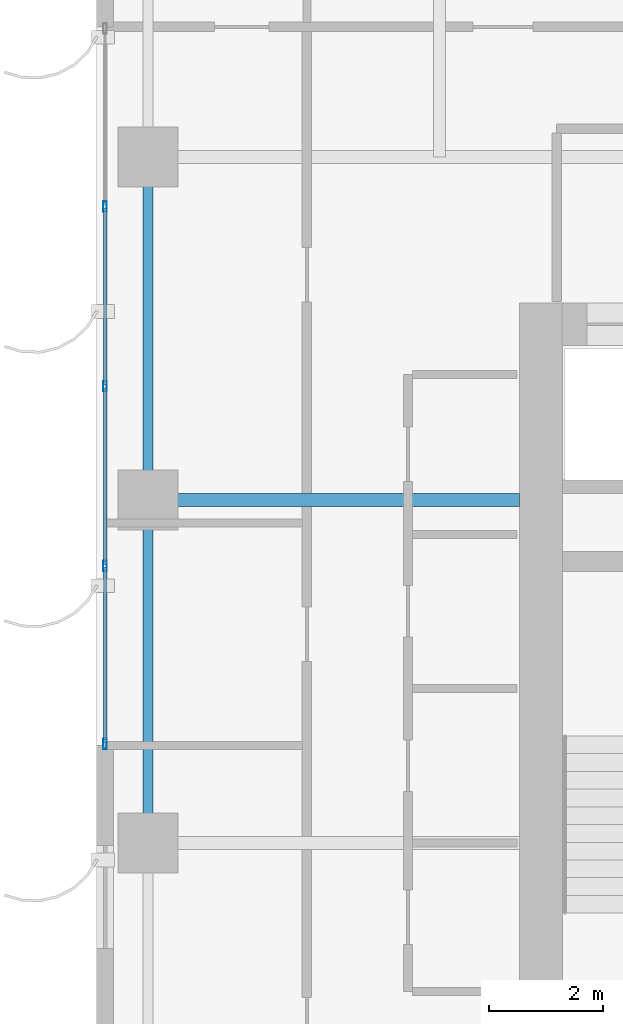
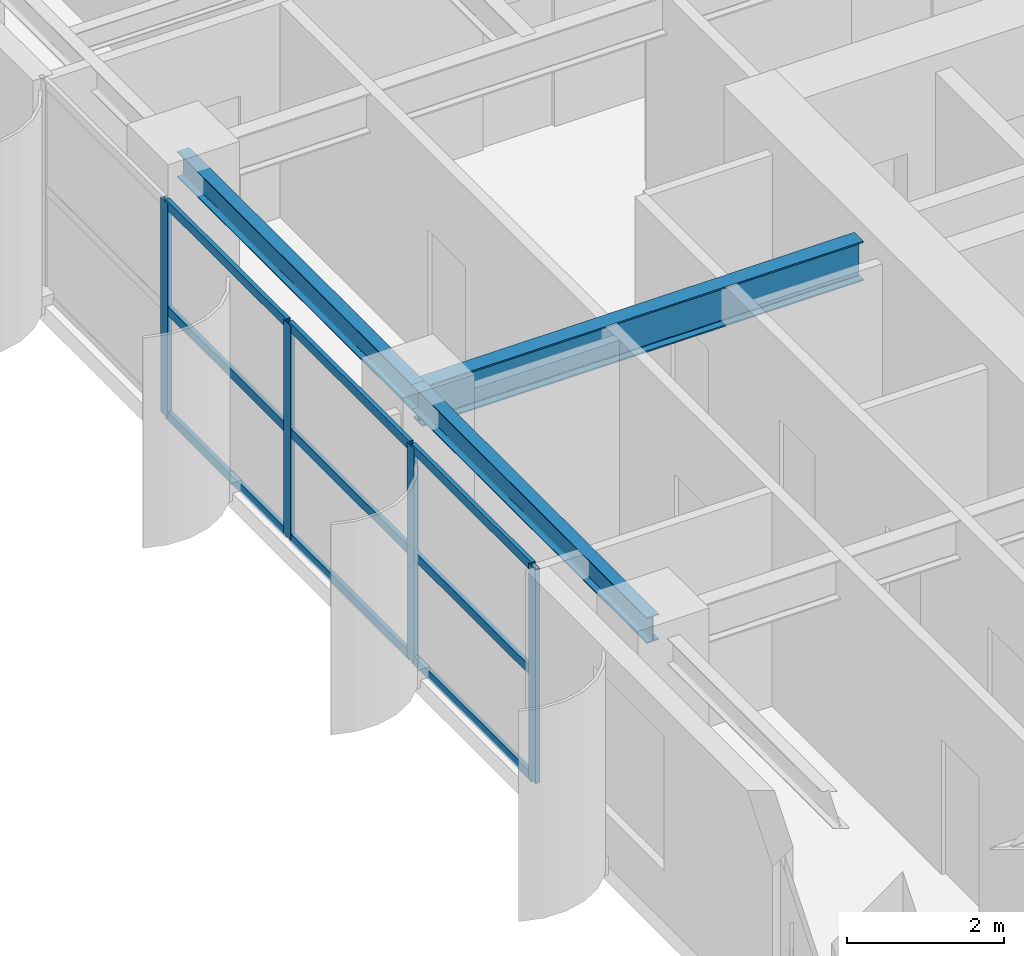
# One storey, part 5 of 23: 13 members, 3 beams, 1 element without a shape of its own.
"""IFC4 building model written with IfcOpenShell, lengths in metres."""

from ifc_helpers import new_model, si_unit, direction, frame, origin, origin_2d, place, context, subcontext, project, spatial, hollow_rectangle, i_section, extrude, source, transform, mapped, material, layer, layer_set, material_profile, profile_set, type_object, element, aggregate, save


model = new_model("IFC4")

# Units and contexts
model_context = context("Model", 3, precision=1e-05, world=origin(), true_north=direction((0.0, 1.0)))
body_context = subcontext(model_context, "Body", "Model", "MODEL_VIEW")
ifc_project = project(units=[si_unit("LENGTHUNIT", "METRE"), si_unit("AREAUNIT", "SQUARE_METRE"), si_unit("VOLUMEUNIT", "CUBIC_METRE"), si_unit("PLANEANGLEUNIT", "RADIAN"), si_unit("MASSUNIT", "GRAM", prefix="KILO")], contexts=[model_context])

# Site, building, storey
site_placement = place(None, origin())
site = spatial("IfcSite", under=ifc_project, at=site_placement, CompositionType="ELEMENT")
building_placement = place(site_placement, origin())
building = spatial("IfcBuilding", under=site, at=building_placement, Name="Khoralis Quay Care Tower", CompositionType="ELEMENT")
storey_placement = place(building_placement, frame((0.0, 0.0, 119.699951171875)))
storey = spatial("IfcBuildingStorey", under=building, at=storey_placement, Name="L31", CompositionType="ELEMENT", Elevation=119.699951171875)

# Beams
ifc_material_1 = material(Name="Steel S355", Category="steel")
ifc_material_profile_1 = material_profile(ifc_material_1, i_section(OverallWidth=0.179931640625, OverallDepth=0.39990234375, WebThickness=0.008544921875, FlangeThickness=0.013427734375, FilletRadius=0.02099609375, at=origin_2d()), Name="Steel S355")
ifc_profile_set_1 = profile_set([ifc_material_profile_1], Name="Steel S355")
beam_type_1 = type_object("IfcBeamType", Name="BM-IPE400", PredefinedType="SPANDREL", material=ifc_profile_set_1)
shared_shape_1 = source(origin(), body_context, "Body", "SweptSolid", [
    extrude(i_section(OverallWidth=0.179931640625, OverallDepth=0.39990234375, WebThickness=0.008544921875, FlangeThickness=0.013427734375, FilletRadius=0.02099609375, at=origin_2d()), origin(), (0.0, 0.0, 1.0), 6.0),
])
for number, where, z_axis, x_axis, name in (
    (1, (0.89990234375, 18.0, 3.14013671875), (0.0, 1.0, 0.0), (-1.0, 0.0, 0.0), "BM-TSP-L31-13"),
    (2, (0.89990234375, 24.0, 3.14013671875), (0.0, 1.0, 0.0), (-1.0, 0.0, 0.0), "BM-TSP-L31-14"),
):
    element("IfcBeam", number, at=place(storey_placement, frame(where, z_axis=z_axis, x_axis=x_axis)), inside=storey, type_object=beam_type_1, Name=name, PredefinedType="SPANDREL", context=body_context, shape_type="MappedRepresentation", body=[
        mapped(shared_shape_1, transform((0.0, 0.0, 0.0), scale=1.0)),
    ])
ifc_material_profile_2 = material_profile(ifc_material_1, i_section(OverallWidth=0.22998046875, OverallDepth=0.616943359375, WebThickness=0.01318359375, FlangeThickness=0.022216796875, FilletRadius=0.01806640625, at=origin_2d()), Name="Steel S355")
ifc_profile_set_2 = profile_set([ifc_material_profile_2], Name="Steel S355")
beam_type_2 = type_object("IfcBeamType", Name="BM-W610X140", PredefinedType="BEAM", material=ifc_profile_set_2)
shared_shape_2 = source(origin(), body_context, "Body", "SweptSolid", [
    extrude(i_section(OverallWidth=0.22998046875, OverallDepth=0.616943359375, WebThickness=0.01318359375, FlangeThickness=0.022216796875, FilletRadius=0.01806640625, at=origin_2d()), origin(), (0.0, 0.0, 1.0), 6.502197265625),
])
beam_placement = place(storey_placement, frame((0.89990234375, 24.0, 3.031494140625), z_axis=(1.0, 0.0, 0.0), x_axis=(0.0, 1.0, 0.0)))
element("IfcBeam", 3, at=beam_placement, inside=storey, type_object=beam_type_2, Name="BM-TGXW-L31-240", PredefinedType="BEAM", context=body_context, shape_type="MappedRepresentation", body=[
    mapped(shared_shape_2, transform((0.0, 0.0, 0.0), scale=1.0)),
])

# Curtain wall, members
ifc_material_2 = material(Name="Pale anodised aluminium", Category="aluminium")
ifc_layer = layer(ifc_material_2, 0.169921875)
ifc_layer_set = layer_set([ifc_layer], Name="Pale anodised aluminium")
curtain_wall_type = type_object("IfcCurtainWallType", Name="CW-SYS-Z2", PredefinedType="NOTDEFINED", material=ifc_layer_set)
curtain_wall_placement = place(storey_placement, origin())
curtain_wall = element("IfcCurtainWall", 4, at=curtain_wall_placement, inside=storey, type_object=curtain_wall_type, Name="L31 Unitised Curtain Wall CW-L31-P1-E15", PredefinedType="NOTDEFINED")
ifc_material_profile_3 = material_profile(ifc_material_2, hollow_rectangle(XDim=0.06005859375, YDim=0.139892578125, WallThickness=0.00390625, at=origin_2d()), Name="Pale anodised aluminium")
ifc_profile_set_3 = profile_set([ifc_material_profile_3], Name="Pale anodised aluminium")
member_type_1 = type_object("IfcMemberType", Name="CW-TRN-140", PredefinedType="USERDEFINED", material=ifc_profile_set_3)
shared_shape_3 = source(origin(), body_context, "Body", "SweptSolid", [
    extrude(hollow_rectangle(XDim=0.06005859375, YDim=0.139892578125, WallThickness=0.00390625, at=origin_2d()), origin(), (0.0, 0.0, 1.0), 3.054931640625),
])
member_1_placement = place(storey_placement, frame((0.14990234375, 22.81494140625, 0.030029296875), z_axis=(0.0, -1.0, 0.0), x_axis=(1.0, 0.0, 0.0)))
member_1 = element("IfcMember", 5, at=member_1_placement, type_object=member_type_1, Name="CW2 transom 4.1", ObjectType="TRANSOM", PredefinedType="USERDEFINED", context=body_context, shape_type="MappedRepresentation", body=[
    mapped(shared_shape_3, transform((0.0, 0.0, 0.0), scale=1.0)),
])
member_2_placement = place(storey_placement, frame((0.14990234375, 22.81494140625, 1.670166015625), z_axis=(0.0, -1.0, 0.0), x_axis=(1.0, 0.0, 0.0)))
member_2 = element("IfcMember", 6, at=member_2_placement, type_object=member_type_1, Name="CW2 transom 4.2", ObjectType="TRANSOM", PredefinedType="USERDEFINED", context=body_context, shape_type="MappedRepresentation", body=[
    mapped(shared_shape_3, transform((0.0, 0.0, 0.0), scale=1.0)),
])
member_3_placement = place(storey_placement, frame((0.14990234375, 22.81494140625, 3.31005859375), z_axis=(0.0, -1.0, 0.0), x_axis=(1.0, 0.0, 0.0)))
member_3 = element("IfcMember", 7, at=member_3_placement, type_object=member_type_1, Name="CW2 transom 4.3", ObjectType="TRANSOM", PredefinedType="USERDEFINED", context=body_context, shape_type="MappedRepresentation", body=[
    mapped(shared_shape_3, transform((0.0, 0.0, 0.0), scale=1.0)),
])
shared_shape_4 = source(origin(), body_context, "Body", "SweptSolid", [
    extrude(hollow_rectangle(XDim=0.06005859375, YDim=0.139892578125, WallThickness=0.00390625, at=origin_2d()), origin(), (0.0, 0.0, 1.0), 3.0849609375),
])
member_4_placement = place(storey_placement, frame((0.14990234375, 29.10498046875, 0.030029296875), z_axis=(0.0, -1.0, 0.0), x_axis=(1.0, 0.0, 0.0)))
member_4 = element("IfcMember", 8, at=member_4_placement, type_object=member_type_1, Name="CW2 transom 2.1", ObjectType="TRANSOM", PredefinedType="USERDEFINED", context=body_context, shape_type="MappedRepresentation", body=[
    mapped(shared_shape_4, transform((0.0, 0.0, 0.0), scale=1.0)),
])
member_5_placement = place(storey_placement, frame((0.14990234375, 29.10498046875, 1.670166015625), z_axis=(0.0, -1.0, 0.0), x_axis=(1.0, 0.0, 0.0)))
member_5 = element("IfcMember", 9, at=member_5_placement, type_object=member_type_1, Name="CW2 transom 2.2", ObjectType="TRANSOM", PredefinedType="USERDEFINED", context=body_context, shape_type="MappedRepresentation", body=[
    mapped(shared_shape_4, transform((0.0, 0.0, 0.0), scale=1.0)),
])
member_6_placement = place(storey_placement, frame((0.14990234375, 29.10498046875, 3.31005859375), z_axis=(0.0, -1.0, 0.0), x_axis=(1.0, 0.0, 0.0)))
member_6 = element("IfcMember", 10, at=member_6_placement, type_object=member_type_1, Name="CW2 transom 2.3", ObjectType="TRANSOM", PredefinedType="USERDEFINED", context=body_context, shape_type="MappedRepresentation", body=[
    mapped(shared_shape_4, transform((0.0, 0.0, 0.0), scale=1.0)),
])
member_7_placement = place(storey_placement, frame((0.14990234375, 25.9599609375, 0.030029296875), z_axis=(0.0, -1.0, 0.0), x_axis=(1.0, 0.0, 0.0)))
member_7 = element("IfcMember", 11, at=member_7_placement, type_object=member_type_1, Name="CW2 transom 3.1", ObjectType="TRANSOM", PredefinedType="USERDEFINED", context=body_context, shape_type="MappedRepresentation", body=[
    mapped(shared_shape_4, transform((0.0, 0.0, 0.0), scale=1.0)),
])
member_8_placement = place(storey_placement, frame((0.14990234375, 25.9599609375, 1.670166015625), z_axis=(0.0, -1.0, 0.0), x_axis=(1.0, 0.0, 0.0)))
member_8 = element("IfcMember", 12, at=member_8_placement, type_object=member_type_1, Name="CW2 transom 3.2", ObjectType="TRANSOM", PredefinedType="USERDEFINED", context=body_context, shape_type="MappedRepresentation", body=[
    mapped(shared_shape_4, transform((0.0, 0.0, 0.0), scale=1.0)),
])
member_9_placement = place(storey_placement, frame((0.14990234375, 25.9599609375, 3.31005859375), z_axis=(0.0, -1.0, 0.0), x_axis=(1.0, 0.0, 0.0)))
member_9 = element("IfcMember", 13, at=member_9_placement, type_object=member_type_1, Name="CW2 transom 3.3", ObjectType="TRANSOM", PredefinedType="USERDEFINED", context=body_context, shape_type="MappedRepresentation", body=[
    mapped(shared_shape_4, transform((0.0, 0.0, 0.0), scale=1.0)),
])
ifc_material_profile_4 = material_profile(ifc_material_2, hollow_rectangle(XDim=0.06494140625, YDim=0.179931640625, WallThickness=0.00390625, at=origin_2d()), Name="Pale anodised aluminium")
ifc_profile_set_4 = profile_set([ifc_material_profile_4], Name="Pale anodised aluminium")
member_type_2 = type_object("IfcMemberType", Name="CW-MUL-180", PredefinedType="MULLION", material=ifc_profile_set_4)
shared_shape_5 = source(origin(), body_context, "Body", "SweptSolid", [
    extrude(hollow_rectangle(XDim=0.06494140625, YDim=0.179931640625, WallThickness=0.00390625, at=origin_2d()), origin(), (0.0, 0.0, 1.0), 3.340087890625),
])
member_10_placement = place(storey_placement, frame((0.14990234375, 29.135009765625, 0.0), z_axis=(0.0, 0.0, 1.0), x_axis=(1.0, 0.0, 0.0)))
member_10 = element("IfcMember", 14, at=member_10_placement, type_object=member_type_2, Name="CW2 mullion 2", PredefinedType="MULLION", context=body_context, shape_type="MappedRepresentation", body=[
    mapped(shared_shape_5, transform((0.0, 0.0, 0.0), scale=1.0)),
])
member_11_placement = place(storey_placement, frame((0.14990234375, 25.989990234375, 0.0), z_axis=(0.0, 0.0, 1.0), x_axis=(1.0, 0.0, 0.0)))
member_11 = element("IfcMember", 15, at=member_11_placement, type_object=member_type_2, Name="CW2 mullion 3", PredefinedType="MULLION", context=body_context, shape_type="MappedRepresentation", body=[
    mapped(shared_shape_5, transform((0.0, 0.0, 0.0), scale=1.0)),
])
member_12_placement = place(storey_placement, frame((0.14990234375, 22.844970703125, 0.0), z_axis=(0.0, 0.0, 1.0), x_axis=(1.0, 0.0, 0.0)))
member_12 = element("IfcMember", 16, at=member_12_placement, type_object=member_type_2, Name="CW2 mullion 4", PredefinedType="MULLION", context=body_context, shape_type="MappedRepresentation", body=[
    mapped(shared_shape_5, transform((0.0, 0.0, 0.0), scale=1.0)),
])
member_13_placement = place(storey_placement, frame((0.14990234375, 19.72998046875, 0.0), z_axis=(0.0, 0.0, 1.0), x_axis=(1.0, 0.0, 0.0)))
member_13 = element("IfcMember", 17, at=member_13_placement, type_object=member_type_2, Name="CW2 mullion 5", PredefinedType="MULLION", context=body_context, shape_type="MappedRepresentation", body=[
    mapped(shared_shape_5, transform((0.0, 0.0, 0.0), scale=1.0)),
])
aggregate(curtain_wall, [member_10, member_11, member_12, member_13, member_4, member_5, member_6, member_7, member_8, member_9, member_1, member_2, member_3])

save(model, "model.ifc")
